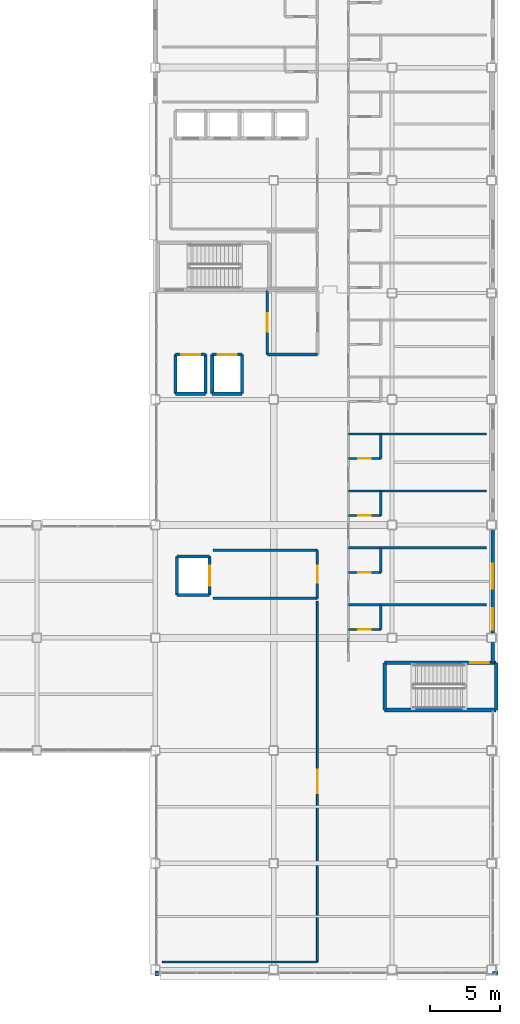
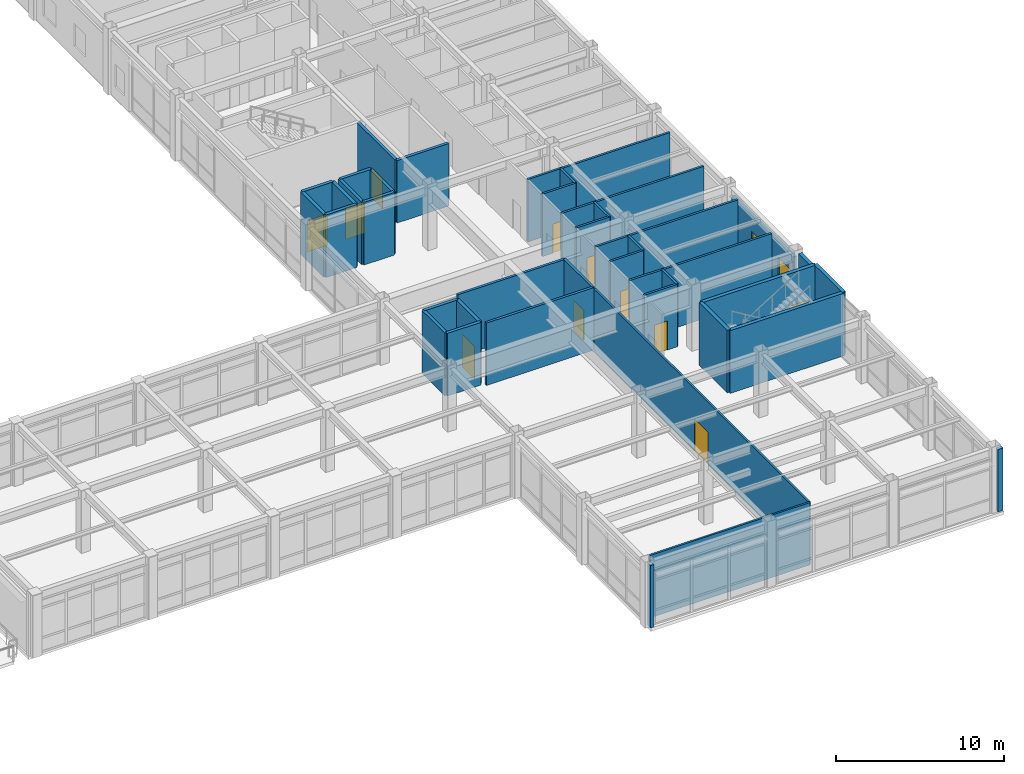
# One storey, part 76 of 93: 39 walls, 11 doors, 2 windows, 13 openings.
"""IFC4 building model written with IfcOpenShell, lengths in metres."""

import ifcopenshell
import ifcopenshell.guid

model = None  # the IFC model being written
_history = None  # IfcOwnerHistory: only IFC2X3 demands one
_inside = {}  # id of a spatial element -> (the spatial element, [elements in it])
_under = {}  # id of a project, library or spatial element -> (it, [spatial elements below it])
_declared = {}  # id of a project -> (the project, [libraries it declares])
_typed = {}  # id of a type object -> (the type object, [elements of that type])
_made_of = {}  # id of a material, layer set ... -> (it, [elements and type objects made of it])


def new_model(schema):
    """Start an empty IFC model of exactly this schema.

    Asked for "IFC4X3", IfcOpenShell would pick the latest addendum, in which some entities
    have other attributes; the version numbers below select the first issue.
    IFC2X3 requires an IfcOwnerHistory on every rooted entity: one is made here for all.
    """
    global model, _history
    if schema == "IFC4X3":
        model = ifcopenshell.file(schema_version=(4, 3, 0, 0))
    else:
        model = ifcopenshell.file(schema=schema)
    _inside.clear()
    _under.clear()
    _declared.clear()
    _typed.clear()
    _made_of.clear()
    _history = None
    if model.schema == "IFC2X3":
        org = make("IfcOrganization", Name="unknown")
        user = make(
            "IfcPersonAndOrganization",
            ThePerson=make("IfcPerson", FamilyName="unknown"),
            TheOrganization=org,
        )
        app = make(
            "IfcApplication",
            ApplicationDeveloper=org,
            Version="unknown",
            ApplicationFullName="unknown",
            ApplicationIdentifier="unknown",
        )
        _history = make(
            "IfcOwnerHistory",
            OwningUser=user,
            OwningApplication=app,
            ChangeAction="ADDED",
            CreationDate=0,
        )
    return model


def make(cls, **values):
    """One entity of the class cls with the attributes given. An attribute that is None is left unset."""
    return model.create_entity(
        cls, **{name: value for name, value in values.items() if value is not None}
    )


def rooted(cls, **values):
    """An entity with a GlobalId (a new one), such as an element, a storey or a relation."""
    return make(cls, GlobalId=ifcopenshell.guid.new(), OwnerHistory=_history, **values)


def si_unit(unit_type, name, prefix=None):
    """IfcSIUnit, for example si_unit("LENGTHUNIT", "METRE", prefix="MILLI")."""
    return make("IfcSIUnit", UnitType=unit_type, Prefix=prefix, Name=name)


def assignment(units):
    """IfcUnitAssignment: the units of a project."""
    return None if units is None else make("IfcUnitAssignment", Units=units)


def point(xyz):
    """IfcCartesianPoint."""
    return None if xyz is None else make("IfcCartesianPoint", Coordinates=xyz)


def direction(xyz):
    """IfcDirection."""
    return None if xyz is None else make("IfcDirection", DirectionRatios=xyz)


def frame(location, z_axis=None, x_axis=None):
    """IfcAxis2Placement3D, a coordinate frame: its origin and axes. An axis left out is left unset."""
    return make(
        "IfcAxis2Placement3D",
        Location=point(location),
        Axis=direction(z_axis),
        RefDirection=direction(x_axis),
    )


def frame_2d(location, x_axis=None):
    """IfcAxis2Placement2D, a coordinate frame in the plane: its origin and x axis."""
    return make(
        "IfcAxis2Placement2D", Location=point(location), RefDirection=direction(x_axis)
    )


def origin():
    """The frame at (0, 0, 0) with its axes left unset."""
    return frame((0.0, 0.0, 0.0))


def place(relative_to, where):
    """IfcLocalPlacement: puts the frame where relative to a parent placement (None: the world)."""
    return make(
        "IfcLocalPlacement", PlacementRelTo=relative_to, RelativePlacement=where
    )


def context(
    kind, dimensions, precision=None, world=None, true_north=None, identifier=None
):
    """IfcGeometricRepresentationContext, for example the 3D "Model" context."""
    return make(
        "IfcGeometricRepresentationContext",
        ContextIdentifier=identifier,
        ContextType=kind,
        CoordinateSpaceDimension=dimensions,
        Precision=precision,
        WorldCoordinateSystem=world,
        TrueNorth=true_north,
    )


def subcontext(parent, identifier, kind, view, scale=None):
    """IfcGeometricRepresentationSubContext, for example "Body" below "Model"."""
    return make(
        "IfcGeometricRepresentationSubContext",
        ContextIdentifier=identifier,
        ContextType=kind,
        ParentContext=parent,
        TargetScale=scale,
        TargetView=view,
    )


def project(units=None, contexts=None):
    """IfcProject with its units and contexts."""
    return rooted(
        "IfcProject",
        Name="project",
        RepresentationContexts=contexts,
        UnitsInContext=assignment(units),
    )


def spatial(cls, under=None, at=None, **own):
    """A site, building, storey or space (cls), placed at a placement, below another one or the project."""
    s = rooted(cls, ObjectPlacement=at, **own)
    if under is not None:
        _under.setdefault(under.id(), (under, []))[1].append(s)
    return s


def profile(cls, at=None, kind="AREA", **sizes):
    """A parametric profile (cls). Its sizes go by their IFC names, for example OverallWidth=200.0."""
    return make(cls, ProfileType=kind, Position=at, **sizes)


def rectangle(**sizes):
    """IfcRectangleProfileDef."""
    return profile("IfcRectangleProfileDef", **sizes)


def extrude(swept, where, along, depth):
    """IfcExtrudedAreaSolid: the profile swept, set in the frame where, extruded along a direction by depth."""
    return make(
        "IfcExtrudedAreaSolid",
        SweptArea=swept,
        Position=where,
        ExtrudedDirection=direction(along),
        Depth=depth,
    )


def shape(context_of_items, identifier, shape_type, items):
    """IfcShapeRepresentation: the items that make up one representation, for example the "Body"."""
    return make(
        "IfcShapeRepresentation",
        ContextOfItems=context_of_items,
        RepresentationIdentifier=identifier,
        RepresentationType=shape_type,
        Items=items,
    )


def material(Name=None, Category=None):
    """IfcMaterial."""
    return make("IfcMaterial", Name=Name, Category=Category)


def layer(
    of_material, thickness, ventilated=None, Name=None, Category=None, Priority=None
):
    """IfcMaterialLayer: one layer of a wall or slab, of a material (None: an air gap)."""
    return make(
        "IfcMaterialLayer",
        Material=of_material,
        LayerThickness=thickness,
        IsVentilated=ventilated,
        Name=Name,
        Category=Category,
        Priority=Priority,
    )


def layer_set(layers, Name=None):
    """IfcMaterialLayerSet."""
    return make("IfcMaterialLayerSet", MaterialLayers=layers, LayerSetName=Name)


def made_of(thing, what):
    """Note that an element or type object is made of a material, layer set ...; save() writes the relation."""
    if what is not None:
        _made_of.setdefault(what.id(), (what, []))[1].append(thing)
    return thing


def type_object(cls, material=None, **own):
    """A type object (cls), such as IfcWallType, which elements share."""
    return made_of(rooted(cls, **own), material)


def element(
    cls,
    number,
    at=None,
    inside=None,
    cuts=None,
    type_object=None,
    material=None,
    context=None,
    identifier="Body",
    shape_type=None,
    held_by="IfcProductDefinitionShape",
    body=None,
    shapes=None,
    **own,
):
    """One element of the class cls, such as IfcWall. Its Tag is "e" and its number.

    at: its placement. inside: the storey or other place that contains it. cuts: it is an
    opening in that element (IfcRelVoidsElement). A single representation is given by context,
    identifier, shape_type and body (its items); several are given by shapes. held_by: the class
    of the entity that holds the representations. save() writes the other relations.
    """
    e = rooted(cls, Tag="e%d" % number, ObjectPlacement=at, **own)
    if body is not None:
        shapes = [shape(context, identifier, shape_type, body)]
    if shapes is not None:
        e.Representation = make(held_by, Representations=shapes)
    if inside is not None:
        _inside.setdefault(inside.id(), (inside, []))[1].append(e)
    if cuts is not None:
        rooted(
            "IfcRelVoidsElement", RelatingBuildingElement=cuts, RelatedOpeningElement=e
        )
    if type_object is not None:
        _typed.setdefault(type_object.id(), (type_object, []))[1].append(e)
    return made_of(e, material)


def fill(opening, filler):
    """IfcRelFillsElement: the door or window that sits in an opening."""
    return rooted(
        "IfcRelFillsElement",
        RelatingOpeningElement=opening,
        RelatedBuildingElement=filler,
    )


def aggregate(whole, parts):
    """IfcRelAggregates: a whole, such as a stair, and the parts it consists of."""
    return rooted("IfcRelAggregates", RelatingObject=whole, RelatedObjects=parts)


def save(model, path):
    """Write the relations noted so far, then the file.

    IfcRelAggregates (storeys below a building ...), IfcRelContainedInSpatialStructure (elements
    in a storey), IfcRelDefinesByType, IfcRelAssociatesMaterial and IfcRelDeclares: one each for
    every whole, place, type object, material and project.
    """
    for whole, parts in _under.values():
        aggregate(whole, parts)
    for where, things in _inside.values():
        rooted(
            "IfcRelContainedInSpatialStructure",
            RelatedElements=things,
            RelatingStructure=where,
        )
    for kind, things in _typed.values():
        rooted("IfcRelDefinesByType", RelatedObjects=things, RelatingType=kind)
    for what, things in _made_of.values():
        rooted("IfcRelAssociatesMaterial", RelatedObjects=things, RelatingMaterial=what)
    for by, libraries in _declared.values():
        rooted("IfcRelDeclares", RelatingContext=by, RelatedDefinitions=libraries)
    model.write(path)


model = new_model("IFC4")

# Units and contexts
model_context = context("Model", 3, precision=1e-05, world=origin(), true_north=direction((0.0, 1.0)))
body_context = subcontext(model_context, "Body", "Model", "MODEL_VIEW")
ifc_project = project(units=[si_unit("LENGTHUNIT", "METRE"), si_unit("AREAUNIT", "SQUARE_METRE"), si_unit("VOLUMEUNIT", "CUBIC_METRE"), si_unit("PLANEANGLEUNIT", "RADIAN"), si_unit("MASSUNIT", "GRAM", prefix="KILO")], contexts=[model_context])

# Site, building, storey
site_placement = place(None, origin())
site = spatial("IfcSite", under=ifc_project, at=site_placement, CompositionType="ELEMENT")
building_placement = place(site_placement, origin())
building = spatial("IfcBuilding", under=site, at=building_placement, Name="Kazehara Bluff Congress Hotel", CompositionType="ELEMENT")
storey_placement = place(building_placement, frame((0.0, 0.0, 15.0)))
storey = spatial("IfcBuildingStorey", under=building, at=storey_placement, Name="L03", CompositionType="ELEMENT", Elevation=15.0)

# Walls
ifc_material_1 = material(Name="Concrete C40/50", Category="concrete")
ifc_layer_1 = layer(ifc_material_1, 0.25)
ifc_layer_set_1 = layer_set([ifc_layer_1], Name="Concrete C40/50")
wall_type_1 = type_object("IfcWallType", Name="TP-CW-RC", PredefinedType="SHEAR", material=ifc_layer_set_1)
for number, where, z_axis, x_axis, name in (
    (1, (167.875, 22.22509765625, 0.0), (0.0, 0.0, 1.0), (0.0, -1.0, 0.0), "L03 ST-10 core wall near"),
    (2, (159.97509765625, 18.875, 0.0), (0.0, 0.0, 1.0), (0.0, 1.0, 0.0), "L03 ST-10 core wall far"),
):
    element("IfcWall", number, at=place(storey_placement, frame(where, z_axis=z_axis, x_axis=x_axis)), inside=storey, type_object=wall_type_1, Name=name, PredefinedType="SHEAR", context=body_context, shape_type="SweptSolid", body=[
        extrude(rectangle(XDim=3.35009765625, YDim=0.25, at=frame_2d((1.675048828125, 0.0))), origin(), (0.0, 0.0, 1.0), 4.56005859375),
    ])

# Wall, opening, door
wall_1_placement = place(storey_placement, frame((159.97509765625, 22.22509765625, 0.0), z_axis=(0.0, 0.0, 1.0), x_axis=(1.0, 0.0, 0.0)))
wall_1 = element("IfcWall", 3, at=wall_1_placement, inside=storey, type_object=wall_type_1, Name="L03 ST-10 core wall left", PredefinedType="SHEAR", context=body_context, shape_type="SweptSolid", body=[
    extrude(rectangle(XDim=7.89990234375, YDim=0.25, at=frame_2d((3.949951171875, 0.0))), origin(), (0.0, 0.0, 1.0), 4.56005859375),
])
opening_1_placement = place(wall_1_placement, frame((6.074951171875, 0.0, 0.0)))
opening_1 = element("IfcOpeningElement", 4, at=opening_1_placement, cuts=wall_1, Name="Opening FD-01", PredefinedType="OPENING", context=body_context, shape_type="SweptSolid", body=[
    extrude(rectangle(XDim=1.300048828125, YDim=2.199951171875, at=frame_2d((0.64990234375, 1.10009765625))), frame((0.0, 0.135009765625, 0.0), z_axis=(0.0, -1.0, 0.0), x_axis=(1.0, 0.0, 0.0)), (0.0, 0.0, 1.0), 0.27001953125),
])
ifc_material_2 = material(Name="Fire-rated painted steel leaf", Category="steel")
door_type_1 = type_object("IfcDoorType", Name="TP-FD-01", OperationType="NOTDEFINED", PredefinedType="DOOR", material=ifc_material_2)
door_1_placement = place(opening_1_placement, origin())
door_1 = element("IfcDoor", 5, at=door_1_placement, inside=storey, type_object=door_type_1, Name="L03 ST-10 fire stair door", OperationType="SINGLE_SWING_LEFT", OverallHeight=2.199951171875, OverallWidth=1.300048828125, PredefinedType="DOOR", context=body_context, shape_type="SweptSolid", body=[
    extrude(rectangle(XDim=1.300048828125, YDim=2.199951171875, at=frame_2d((0.64990234375, 1.10009765625))), frame((0.0, 0.02490234375, 0.0), z_axis=(0.0, -1.0, 0.0), x_axis=(1.0, 0.0, 0.0)), (0.0, 0.0, 1.0), 0.050048828125),
])
fill(opening_1, door_1)

# Walls
wall_2_placement = place(storey_placement, frame((167.875, 18.875, 0.0), z_axis=(0.0, 0.0, 1.0), x_axis=(-1.0, 0.0, 0.0)))
element("IfcWall", 6, at=wall_2_placement, inside=storey, type_object=wall_type_1, Name="L03 ST-10 core wall right", PredefinedType="SHEAR", context=body_context, shape_type="SweptSolid", body=[
    extrude(rectangle(XDim=7.89990234375, YDim=0.25, at=frame_2d((3.949951171875, 0.0))), origin(), (0.0, 0.0, 1.0), 4.56005859375),
])
ifc_material_3 = material(Name="Precast concrete C40/50", Category="concrete")
ifc_layer_2 = layer(ifc_material_3, 0.239990234375)
ifc_layer_set_2 = layer_set([ifc_layer_2], Name="Precast concrete C40/50")
wall_type_2 = type_object("IfcWallType", Name="TP-EW-240", PredefinedType="SOLIDWALL", material=ifc_layer_set_2)
for number, where, z_axis, x_axis, name in (
    (7, (168.0, 0.219970703125, 0.0), (0.0, 0.0, 1.0), (-1.0, 0.0, 0.0), "L03 V5 perimeter spandrel pier 708"),
    (8, (143.800048828125, 0.0, 0.0), (0.0, 0.0, 1.0), (0.0, 1.0, 0.0), "L03 V5 perimeter spandrel pier 718"),
):
    element("IfcWall", number, at=place(storey_placement, frame(where, z_axis=z_axis, x_axis=x_axis)), inside=storey, type_object=wall_type_2, Name=name, PredefinedType="SOLIDWALL", context=body_context, shape_type="SweptSolid", body=[
        extrude(rectangle(XDim=0.360107421875, YDim=0.239990234375, at=frame_2d((0.18017578125, 0.0))), origin(), (0.0, 0.0, 1.0), 4.544921875),
    ])
ifc_material_4 = material(Name="Precast concrete C40/50", Category="concrete")
ifc_layer_3 = layer(ifc_material_4, 0.260009765625)
ifc_layer_set_3 = layer_set([ifc_layer_3], Name="Precast concrete C40/50")
wall_type_3 = type_object("IfcWallType", Name="TP-EW-260", PredefinedType="SOLIDWALL", material=ifc_layer_set_3)
wall_3_placement = place(storey_placement, frame((167.64990234375, 23.675048828125, 0.0), z_axis=(0.0, 0.0, 1.0), x_axis=(0.0, -1.0, 0.0)))
element("IfcWall", 9, at=wall_3_placement, inside=storey, type_object=wall_type_3, Name="L03 hotel facade panel 7", PredefinedType="SOLIDWALL", context=body_context, shape_type="SweptSolid", body=[
    extrude(rectangle(XDim=1.449951171875, YDim=0.260009765625, at=frame_2d((0.72509765625, 0.0))), origin(), (0.0, 0.0, 1.0), 4.544921875),
])

# Wall, openings, windows
wall_4_placement = place(storey_placement, frame((167.64990234375, 31.675048828125, 0.0), z_axis=(0.0, 0.0, 1.0), x_axis=(0.0, -1.0, 0.0)))
wall_4 = element("IfcWall", 10, at=wall_4_placement, inside=storey, type_object=wall_type_3, Name="L03 hotel facade panel 8", PredefinedType="SOLIDWALL", context=body_context, shape_type="SweptSolid", body=[
    extrude(rectangle(XDim=7.35009765625, YDim=0.260009765625, at=frame_2d((3.675048828125, 0.0))), origin(), (0.0, 0.0, 1.0), 3.885009765625),
])
opening_2_placement = place(wall_4_placement, frame((5.570068359375, 0.0, 0.85009765625)))
opening_2 = element("IfcOpeningElement", 11, at=opening_2_placement, cuts=wall_4, Name="Opening WN-25", PredefinedType="OPENING", context=body_context, shape_type="SweptSolid", body=[
    extrude(rectangle(XDim=1.550048828125, YDim=1.949951171875, at=frame_2d((0.77490234375, 0.97509765625))), frame((0.0, 0.139892578125, 0.0), z_axis=(0.0, -1.0, 0.0), x_axis=(1.0, 0.0, 0.0)), (0.0, 0.0, 1.0), 0.280029296875),
])
opening_3_placement = place(wall_4_placement, frame((2.43994140625, 0.0, 0.85009765625)))
opening_3 = element("IfcOpeningElement", 12, at=opening_3_placement, cuts=wall_4, Name="Opening WN-35", PredefinedType="OPENING", context=body_context, shape_type="SweptSolid", body=[
    extrude(rectangle(XDim=1.75, YDim=1.949951171875, at=frame_2d((0.875, 0.97509765625))), frame((0.0, 0.139892578125, 0.0), z_axis=(0.0, -1.0, 0.0), x_axis=(1.0, 0.0, 0.0)), (0.0, 0.0, 1.0), 0.280029296875),
])
ifc_material_5 = material(Name="Insulated low-E double glazing", Category="glass")
window_type_1 = type_object("IfcWindowType", Name="TP-WN-25", PartitioningType="SINGLE_PANEL", PredefinedType="WINDOW", material=ifc_material_5)
window_1_placement = place(opening_2_placement, origin())
window_1 = element("IfcWindow", 13, at=window_1_placement, inside=storey, type_object=window_type_1, Name="L03 guestroom window WN-25 1", OverallHeight=1.949951171875, OverallWidth=1.550048828125, PartitioningType="SINGLE_PANEL", PredefinedType="WINDOW", context=body_context, shape_type="SweptSolid", body=[
    extrude(rectangle(XDim=1.550048828125, YDim=1.949951171875, at=frame_2d((0.77490234375, 0.97509765625))), frame((0.0, 0.030029296875, 0.0), z_axis=(0.0, -1.0, 0.0), x_axis=(1.0, 0.0, 0.0)), (0.0, 0.0, 1.0), 0.06005859375),
])
fill(opening_2, window_1)
ifc_material_6 = material(Name="Insulated low-E double glazing", Category="glass")
window_type_2 = type_object("IfcWindowType", Name="TP-WN-35", PartitioningType="SINGLE_PANEL", PredefinedType="WINDOW", material=ifc_material_6)
window_2_placement = place(opening_3_placement, origin())
window_2 = element("IfcWindow", 14, at=window_2_placement, inside=storey, type_object=window_type_2, Name="L03 guestroom window WN-35 2", OverallHeight=1.949951171875, OverallWidth=1.75, PartitioningType="SINGLE_PANEL", PredefinedType="WINDOW", context=body_context, shape_type="SweptSolid", body=[
    extrude(rectangle(XDim=1.75, YDim=1.949951171875, at=frame_2d((0.875, 0.97509765625))), frame((0.0, 0.030029296875, 0.0), z_axis=(0.0, -1.0, 0.0), x_axis=(1.0, 0.0, 0.0)), (0.0, 0.0, 1.0), 0.06005859375),
])
fill(opening_3, window_2)

# Wall
ifc_material_7 = material(Name="Concrete C40/50", Category="concrete")
ifc_layer_4 = layer(ifc_material_7, 0.199951171875)
ifc_layer_set_4 = layer_set([ifc_layer_4], Name="Concrete C40/50")
wall_type_4 = type_object("IfcWallType", Name="TP-FW-RC", PredefinedType="SOLIDWALL", material=ifc_layer_set_4)
wall_5_placement = place(storey_placement, frame((151.64990234375, 44.10009765625, 0.0), z_axis=(0.0, 0.0, 1.0), x_axis=(1.0, 0.0, 0.0)))
element("IfcWall", 15, at=wall_5_placement, inside=storey, type_object=wall_type_4, Name="L03 partition FW-RC 262", PredefinedType="SOLIDWALL", context=body_context, shape_type="SweptSolid", body=[
    extrude(rectangle(XDim=3.550048828125, YDim=0.199951171875, at=frame_2d((1.77490234375, 0.0))), origin(), (0.0, 0.0, 1.0), 4.544921875),
])

# Wall, opening, door
wall_6_placement = place(storey_placement, frame((151.64990234375, 44.10009765625, 0.0), z_axis=(0.0, 0.0, 1.0), x_axis=(0.0, 1.0, 0.0)))
wall_6 = element("IfcWall", 16, at=wall_6_placement, inside=storey, type_object=wall_type_4, Name="L03 partition FW-RC 329", PredefinedType="SOLIDWALL", context=body_context, shape_type="SweptSolid", body=[
    extrude(rectangle(XDim=4.5498046875, YDim=0.199951171875, at=frame_2d((2.27490234375, 0.0))), origin(), (0.0, 0.0, 1.0), 4.544921875),
])
opening_4_placement = place(wall_6_placement, frame((1.625, 0.0, 0.0)))
opening_4 = element("IfcOpeningElement", 17, at=opening_4_placement, cuts=wall_6, Name="Opening FD-01", PredefinedType="OPENING", context=body_context, shape_type="SweptSolid", body=[
    extrude(rectangle(XDim=1.300048828125, YDim=2.199951171875, at=frame_2d((0.64990234375, 1.10009765625))), frame((0.0, 0.10986328125, 0.0), z_axis=(0.0, -1.0, 0.0), x_axis=(1.0, 0.0, 0.0)), (0.0, 0.0, 1.0), 0.219970703125),
])
door_2_placement = place(opening_4_placement, origin())
door_2 = element("IfcDoor", 18, at=door_2_placement, inside=storey, type_object=door_type_1, Name="L03 Emergency Firefighting Lobby door", OperationType="SINGLE_SWING_RIGHT", OverallHeight=2.199951171875, OverallWidth=1.300048828125, PredefinedType="DOOR", context=body_context, shape_type="SweptSolid", body=[
    extrude(rectangle(XDim=1.300048828125, YDim=2.199951171875, at=frame_2d((0.64990234375, 1.10009765625))), frame((0.0, 0.02490234375, 0.0), z_axis=(0.0, -1.0, 0.0), x_axis=(1.0, 0.0, 0.0)), (0.0, 0.0, 1.0), 0.050048828125),
])
fill(opening_4, door_2)

# Wall
ifc_material_8 = material(Name="Fire-rated gypsum board stud partition")
ifc_layer_5 = layer(ifc_material_8, 0.1298828125)
ifc_layer_set_5 = layer_set([ifc_layer_5], Name="Fire-rated gypsum board stud partition")
wall_type_5 = type_object("IfcWallType", Name="TP-PT-130", PredefinedType="PARTITIONING", material=ifc_layer_set_5)
wall_7_placement = place(storey_placement, frame((144.199951171875, 1.0, 0.0), z_axis=(0.0, 0.0, 1.0), x_axis=(1.0, 0.0, 0.0)))
element("IfcWall", 19, at=wall_7_placement, inside=storey, type_object=wall_type_5, Name="L03 partition PT-130 246", PredefinedType="PARTITIONING", context=body_context, shape_type="SweptSolid", body=[
    extrude(rectangle(XDim=11.0, YDim=0.1298828125, at=frame_2d((5.5, 0.0))), origin(), (0.0, 0.0, 1.0), 4.544921875),
])

# Wall, opening, door
wall_8_placement = place(storey_placement, frame((155.199951171875, 1.0, 0.0), z_axis=(0.0, 0.0, 1.0), x_axis=(0.0, 1.0, 0.0)))
wall_8 = element("IfcWall", 20, at=wall_8_placement, inside=storey, type_object=wall_type_5, Name="L03 partition PT-130 343", PredefinedType="PARTITIONING", context=body_context, shape_type="SweptSolid", body=[
    extrude(rectangle(XDim=25.60009765625, YDim=0.1298828125, at=frame_2d((12.800048828125, 0.0))), origin(), (0.0, 0.0, 1.0), 4.544921875),
])
opening_5_placement = place(wall_8_placement, frame((11.97509765625, 0.0, 0.0)))
opening_5 = element("IfcOpeningElement", 21, at=opening_5_placement, cuts=wall_8, Name="Opening AD-04", PredefinedType="OPENING", context=body_context, shape_type="SweptSolid", body=[
    extrude(rectangle(XDim=1.64990234375, YDim=2.35009765625, at=frame_2d((0.824951171875, 1.175048828125))), frame((0.0, 0.074951171875, 0.0), z_axis=(0.0, -1.0, 0.0), x_axis=(1.0, 0.0, 0.0)), (0.0, 0.0, 1.0), 0.14990234375),
])
ifc_material_9 = material(Name="Architectural oak veneer leaf")
door_type_2 = type_object("IfcDoorType", Name="TP-AD-04", OperationType="DOUBLE_DOOR_SINGLE_SWING", PredefinedType="DOOR", material=ifc_material_9)
door_3_placement = place(opening_5_placement, origin())
door_3 = element("IfcDoor", 22, at=door_3_placement, inside=storey, type_object=door_type_2, Name="L03 Delegate Library Lounge door", OperationType="DOUBLE_DOOR_SINGLE_SWING", OverallHeight=2.35009765625, OverallWidth=1.64990234375, PredefinedType="DOOR", context=body_context, shape_type="SweptSolid", body=[
    extrude(rectangle(XDim=1.64990234375, YDim=2.35009765625, at=frame_2d((0.824951171875, 1.175048828125))), frame((0.0, 0.02490234375, 0.0), z_axis=(0.0, -1.0, 0.0), x_axis=(1.0, 0.0, 0.0)), (0.0, 0.0, 1.0), 0.050048828125),
])
fill(opening_5, door_3)

ifc_material_10 = material(Name="Fire-rated gypsum board stud partition")
ifc_layer_6 = layer(ifc_material_10, 0.14990234375)
ifc_layer_set_6 = layer_set([ifc_layer_6], Name="Fire-rated gypsum board stud partition")
wall_type_6 = type_object("IfcWallType", Name="TP-PT-150", PredefinedType="PARTITIONING", material=ifc_layer_set_6)
wall_9_placement = place(storey_placement, frame((157.39990234375, 24.590087890625, 0.0), z_axis=(0.0, 0.0, 1.0), x_axis=(1.0, 0.0, 0.0)))
wall_9 = element("IfcWall", 23, at=wall_9_placement, inside=storey, type_object=wall_type_6, Name="L03 partition PT-150 248", PredefinedType="PARTITIONING", context=body_context, shape_type="SweptSolid", body=[
    extrude(rectangle(XDim=2.300048828125, YDim=0.14990234375, at=frame_2d((1.14990234375, 0.0))), origin(), (0.0, 0.0, 1.0), 4.544921875),
])
opening_6_placement = place(wall_9_placement, frame((0.7099609375, 0.0, 0.0)))
opening_6 = element("IfcOpeningElement", 24, at=opening_6_placement, cuts=wall_9, Name="Opening BD-02", PredefinedType="OPENING", context=body_context, shape_type="SweptSolid", body=[
    extrude(rectangle(XDim=0.8798828125, YDim=2.1201171875, at=frame_2d((0.43994140625, 1.06005859375))), frame((0.0, 0.0849609375, 0.0), z_axis=(0.0, -1.0, 0.0), x_axis=(1.0, 0.0, 0.0)), (0.0, 0.0, 1.0), 0.169921875),
])
ifc_material_11 = material(Name="Architectural oak veneer leaf")
door_type_3 = type_object("IfcDoorType", Name="TP-BD-02", OperationType="NOTDEFINED", PredefinedType="DOOR", material=ifc_material_11)
door_4_placement = place(opening_6_placement, origin())
door_4 = element("IfcDoor", 25, at=door_4_placement, inside=storey, type_object=door_type_3, Name="L03 En-suite Bathroom 14 door", OperationType="SINGLE_SWING_LEFT", OverallHeight=2.1201171875, OverallWidth=0.8798828125, PredefinedType="DOOR", context=body_context, shape_type="SweptSolid", body=[
    extrude(rectangle(XDim=0.8798828125, YDim=2.1201171875, at=frame_2d((0.43994140625, 1.06005859375))), frame((0.0, 0.02490234375, 0.0), z_axis=(0.0, -1.0, 0.0), x_axis=(1.0, 0.0, 0.0)), (0.0, 0.0, 1.0), 0.050048828125),
])
fill(opening_6, door_4)

# Wall
wall_10_placement = place(storey_placement, frame((157.39990234375, 26.340087890625, 0.0), z_axis=(0.0, 0.0, 1.0), x_axis=(1.0, 0.0, 0.0)))
element("IfcWall", 26, at=wall_10_placement, inside=storey, type_object=wall_type_6, Name="L03 partition PT-150 249", PredefinedType="PARTITIONING", context=body_context, shape_type="SweptSolid", body=[
    extrude(rectangle(XDim=9.800048828125, YDim=0.14990234375, at=frame_2d((4.89990234375, 0.0))), origin(), (0.0, 0.0, 1.0), 4.544921875),
])

# Wall, opening, door
wall_11_placement = place(storey_placement, frame((157.39990234375, 28.639892578125, 0.0), z_axis=(0.0, 0.0, 1.0), x_axis=(1.0, 0.0, 0.0)))
wall_11 = element("IfcWall", 27, at=wall_11_placement, inside=storey, type_object=wall_type_6, Name="L03 partition PT-150 252", PredefinedType="PARTITIONING", context=body_context, shape_type="SweptSolid", body=[
    extrude(rectangle(XDim=2.300048828125, YDim=0.14990234375, at=frame_2d((1.14990234375, 0.0))), origin(), (0.0, 0.0, 1.0), 4.544921875),
])
opening_7_placement = place(wall_11_placement, frame((0.7099609375, 0.0, 0.0)))
opening_7 = element("IfcOpeningElement", 28, at=opening_7_placement, cuts=wall_11, Name="Opening BD-02", PredefinedType="OPENING", context=body_context, shape_type="SweptSolid", body=[
    extrude(rectangle(XDim=0.8798828125, YDim=2.1201171875, at=frame_2d((0.43994140625, 1.06005859375))), frame((0.0, 0.0849609375, 0.0), z_axis=(0.0, -1.0, 0.0), x_axis=(1.0, 0.0, 0.0)), (0.0, 0.0, 1.0), 0.169921875),
])
door_5_placement = place(opening_7_placement, origin())
door_5 = element("IfcDoor", 29, at=door_5_placement, inside=storey, type_object=door_type_3, Name="L03 En-suite Bathroom 15 door", OperationType="SINGLE_SWING_LEFT", OverallHeight=2.1201171875, OverallWidth=0.8798828125, PredefinedType="DOOR", context=body_context, shape_type="SweptSolid", body=[
    extrude(rectangle(XDim=0.8798828125, YDim=2.1201171875, at=frame_2d((0.43994140625, 1.06005859375))), frame((0.0, 0.02490234375, 0.0), z_axis=(0.0, -1.0, 0.0), x_axis=(1.0, 0.0, 0.0)), (0.0, 0.0, 1.0), 0.050048828125),
])
fill(opening_7, door_5)

# Wall
wall_12_placement = place(storey_placement, frame((157.39990234375, 30.389892578125, 0.0), z_axis=(0.0, 0.0, 1.0), x_axis=(1.0, 0.0, 0.0)))
element("IfcWall", 30, at=wall_12_placement, inside=storey, type_object=wall_type_6, Name="L03 partition PT-150 254", PredefinedType="PARTITIONING", context=body_context, shape_type="SweptSolid", body=[
    extrude(rectangle(XDim=9.800048828125, YDim=0.14990234375, at=frame_2d((4.89990234375, 0.0))), origin(), (0.0, 0.0, 1.0), 4.544921875),
])

# Wall, opening, door
wall_13_placement = place(storey_placement, frame((157.39990234375, 32.669921875, 0.0), z_axis=(0.0, 0.0, 1.0), x_axis=(1.0, 0.0, 0.0)))
wall_13 = element("IfcWall", 31, at=wall_13_placement, inside=storey, type_object=wall_type_6, Name="L03 partition PT-150 255", PredefinedType="PARTITIONING", context=body_context, shape_type="SweptSolid", body=[
    extrude(rectangle(XDim=2.300048828125, YDim=0.14990234375, at=frame_2d((1.14990234375, 0.0))), origin(), (0.0, 0.0, 1.0), 4.544921875),
])
opening_8_placement = place(wall_13_placement, frame((0.7099609375, 0.0, 0.0)))
opening_8 = element("IfcOpeningElement", 32, at=opening_8_placement, cuts=wall_13, Name="Opening BD-02", PredefinedType="OPENING", context=body_context, shape_type="SweptSolid", body=[
    extrude(rectangle(XDim=0.8798828125, YDim=2.1201171875, at=frame_2d((0.43994140625, 1.06005859375))), frame((0.0, 0.0849609375, 0.0), z_axis=(0.0, -1.0, 0.0), x_axis=(1.0, 0.0, 0.0)), (0.0, 0.0, 1.0), 0.169921875),
])
door_6_placement = place(opening_8_placement, origin())
door_6 = element("IfcDoor", 33, at=door_6_placement, inside=storey, type_object=door_type_3, Name="L03 En-suite Bathroom 16 door", OperationType="SINGLE_SWING_LEFT", OverallHeight=2.1201171875, OverallWidth=0.8798828125, PredefinedType="DOOR", context=body_context, shape_type="SweptSolid", body=[
    extrude(rectangle(XDim=0.8798828125, YDim=2.1201171875, at=frame_2d((0.43994140625, 1.06005859375))), frame((0.0, 0.02490234375, 0.0), z_axis=(0.0, -1.0, 0.0), x_axis=(1.0, 0.0, 0.0)), (0.0, 0.0, 1.0), 0.050048828125),
])
fill(opening_8, door_6)

# Wall
wall_14_placement = place(storey_placement, frame((157.39990234375, 34.419921875, 0.0), z_axis=(0.0, 0.0, 1.0), x_axis=(1.0, 0.0, 0.0)))
element("IfcWall", 34, at=wall_14_placement, inside=storey, type_object=wall_type_6, Name="L03 partition PT-150 256", PredefinedType="PARTITIONING", context=body_context, shape_type="SweptSolid", body=[
    extrude(rectangle(XDim=9.800048828125, YDim=0.14990234375, at=frame_2d((4.89990234375, 0.0))), origin(), (0.0, 0.0, 1.0), 4.544921875),
])

# Wall, opening, door
wall_15_placement = place(storey_placement, frame((157.39990234375, 36.719970703125, 0.0), z_axis=(0.0, 0.0, 1.0), x_axis=(1.0, 0.0, 0.0)))
wall_15 = element("IfcWall", 35, at=wall_15_placement, inside=storey, type_object=wall_type_6, Name="L03 partition PT-150 257", PredefinedType="PARTITIONING", context=body_context, shape_type="SweptSolid", body=[
    extrude(rectangle(XDim=2.300048828125, YDim=0.14990234375, at=frame_2d((1.14990234375, 0.0))), origin(), (0.0, 0.0, 1.0), 4.544921875),
])
opening_9_placement = place(wall_15_placement, frame((0.7099609375, 0.0, 0.0)))
opening_9 = element("IfcOpeningElement", 36, at=opening_9_placement, cuts=wall_15, Name="Opening BD-02", PredefinedType="OPENING", context=body_context, shape_type="SweptSolid", body=[
    extrude(rectangle(XDim=0.8798828125, YDim=2.1201171875, at=frame_2d((0.43994140625, 1.06005859375))), frame((0.0, 0.0849609375, 0.0), z_axis=(0.0, -1.0, 0.0), x_axis=(1.0, 0.0, 0.0)), (0.0, 0.0, 1.0), 0.169921875),
])
door_7_placement = place(opening_9_placement, origin())
door_7 = element("IfcDoor", 37, at=door_7_placement, inside=storey, type_object=door_type_3, Name="L03 En-suite Bathroom 17 door", OperationType="SINGLE_SWING_LEFT", OverallHeight=2.1201171875, OverallWidth=0.8798828125, PredefinedType="DOOR", context=body_context, shape_type="SweptSolid", body=[
    extrude(rectangle(XDim=0.8798828125, YDim=2.1201171875, at=frame_2d((0.43994140625, 1.06005859375))), frame((0.0, 0.02490234375, 0.0), z_axis=(0.0, -1.0, 0.0), x_axis=(1.0, 0.0, 0.0)), (0.0, 0.0, 1.0), 0.050048828125),
])
fill(opening_9, door_7)

# Walls
wall_16_placement = place(storey_placement, frame((157.39990234375, 38.469970703125, 0.0), z_axis=(0.0, 0.0, 1.0), x_axis=(1.0, 0.0, 0.0)))
element("IfcWall", 38, at=wall_16_placement, inside=storey, type_object=wall_type_6, Name="L03 partition PT-150 258", PredefinedType="PARTITIONING", context=body_context, shape_type="SweptSolid", body=[
    extrude(rectangle(XDim=9.800048828125, YDim=0.14990234375, at=frame_2d((4.89990234375, 0.0))), origin(), (0.0, 0.0, 1.0), 4.544921875),
])
for number, where, z_axis, x_axis, name in (
    (39, (159.699951171875, 24.590087890625, 0.0), (0.0, 0.0, 1.0), (0.0, 1.0, 0.0), "L03 partition PT-150 351"),
    (40, (159.699951171875, 28.635009765625, 0.0), (0.0, 0.0, 1.0), (0.0, 1.0, 0.0), "L03 partition PT-150 352"),
    (41, (159.699951171875, 32.675048828125, 0.0), (0.0, 0.0, 1.0), (0.0, 1.0, 0.0), "L03 partition PT-150 353"),
    (42, (159.699951171875, 36.715087890625, 0.0), (0.0, 0.0, 1.0), (0.0, 1.0, 0.0), "L03 partition PT-150 354"),
):
    element("IfcWall", number, at=place(storey_placement, frame(where, z_axis=z_axis, x_axis=x_axis)), inside=storey, type_object=wall_type_6, Name=name, PredefinedType="PARTITIONING", context=body_context, shape_type="SweptSolid", body=[
        extrude(rectangle(XDim=1.75, YDim=0.14990234375, at=frame_2d((0.875, 0.0))), origin(), (0.0, 0.0, 1.0), 4.544921875),
    ])
ifc_material_12 = material(Name="Fire-rated gypsum board stud partition")
ifc_layer_7 = layer(ifc_material_12, 0.169921875)
ifc_layer_set_7 = layer_set([ifc_layer_7], Name="Fire-rated gypsum board stud partition")
wall_type_7 = type_object("IfcWallType", Name="TP-PT-180", PredefinedType="PARTITIONING", material=ifc_layer_set_7)
for number, where, z_axis, x_axis, name in (
    (43, (147.800048828125, 26.800048828125, 0.0), (0.0, 0.0, 1.0), (1.0, 0.0, 0.0), "L03 partition PT-180 250"),
    (44, (147.800048828125, 30.199951171875, 0.0), (0.0, 0.0, 1.0), (1.0, 0.0, 0.0), "L03 partition PT-180 253"),
):
    element("IfcWall", number, at=place(storey_placement, frame(where, z_axis=z_axis, x_axis=x_axis)), inside=storey, type_object=wall_type_7, Name=name, PredefinedType="PARTITIONING", context=body_context, shape_type="SweptSolid", body=[
        extrude(rectangle(XDim=7.39990234375, YDim=0.169921875, at=frame_2d((3.699951171875, 0.0))), origin(), (0.0, 0.0, 1.0), 4.544921875),
    ])

# Wall, opening, door
wall_17_placement = place(storey_placement, frame((155.199951171875, 26.800048828125, 0.0), z_axis=(0.0, 0.0, 1.0), x_axis=(0.0, 1.0, 0.0)))
wall_17 = element("IfcWall", 45, at=wall_17_placement, inside=storey, type_object=wall_type_7, Name="L03 partition PT-180 344", PredefinedType="PARTITIONING", context=body_context, shape_type="SweptSolid", body=[
    extrude(rectangle(XDim=3.39990234375, YDim=0.169921875, at=frame_2d((1.699951171875, 0.0))), origin(), (0.0, 0.0, 1.0), 4.544921875),
])
opening_10_placement = place(wall_17_placement, frame((1.10009765625, 0.0, 0.0)))
opening_10 = element("IfcOpeningElement", 46, at=opening_10_placement, cuts=wall_17, Name="Opening FD-02", PredefinedType="OPENING", context=body_context, shape_type="SweptSolid", body=[
    extrude(rectangle(XDim=1.199951171875, YDim=2.199951171875, at=frame_2d((0.60009765625, 1.10009765625))), frame((0.0, 0.094970703125, 0.0), z_axis=(0.0, -1.0, 0.0), x_axis=(1.0, 0.0, 0.0)), (0.0, 0.0, 1.0), 0.18994140625),
])
ifc_material_13 = material(Name="Fire-rated painted steel leaf", Category="steel")
door_type_4 = type_object("IfcDoorType", Name="TP-FD-02", OperationType="NOTDEFINED", PredefinedType="DOOR", material=ifc_material_13)
door_8_placement = place(opening_10_placement, origin())
door_8 = element("IfcDoor", 47, at=door_8_placement, inside=storey, type_object=door_type_4, Name="L03 L03 Service Lift Lobby door", OperationType="SINGLE_SWING_RIGHT", OverallHeight=2.199951171875, OverallWidth=1.199951171875, PredefinedType="DOOR", context=body_context, shape_type="SweptSolid", body=[
    extrude(rectangle(XDim=1.199951171875, YDim=2.199951171875, at=frame_2d((0.60009765625, 1.10009765625))), frame((0.0, 0.02490234375, 0.0), z_axis=(0.0, -1.0, 0.0), x_axis=(1.0, 0.0, 0.0)), (0.0, 0.0, 1.0), 0.050048828125),
])
fill(opening_10, door_8)

ifc_material_14 = material(Name="Concrete C40/50", Category="concrete")
ifc_layer_8 = layer(ifc_material_14, 0.219970703125)
ifc_layer_set_8 = layer_set([ifc_layer_8], Name="Concrete C40/50")
wall_type_8 = type_object("IfcWallType", Name="TP-SW-RC", PredefinedType="SHEAR", material=ifc_layer_set_8)
wall_18_placement = place(storey_placement, frame((145.139892578125, 44.0849609375, 0.0), z_axis=(0.0, 0.0, 1.0), x_axis=(1.0, 0.0, 0.0)))
wall_18 = element("IfcWall", 48, at=wall_18_placement, inside=storey, type_object=wall_type_8, Name="L03 EL-E1 lift shaft wall +Y", PredefinedType="SHEAR", context=body_context, shape_type="SweptSolid", body=[
    extrude(rectangle(XDim=2.1201171875, YDim=0.219970703125, at=frame_2d((1.06005859375, 0.0))), origin(), (0.0, 0.0, 1.0), 4.56005859375),
])
opening_11_placement = place(wall_18_placement, frame((0.385009765625, 0.0, 0.0)))
opening_11 = element("IfcOpeningElement", 49, at=opening_11_placement, cuts=wall_18, Name="Opening LD-03", PredefinedType="OPENING", context=body_context, shape_type="SweptSolid", body=[
    extrude(rectangle(XDim=1.35009765625, YDim=2.300048828125, at=frame_2d((0.675048828125, 1.14990234375))), frame((0.0, 0.119873046875, 0.0), z_axis=(0.0, -1.0, 0.0), x_axis=(1.0, 0.0, 0.0)), (0.0, 0.0, 1.0), 0.239990234375),
])
ifc_material_15 = material(Name="Fire-rated painted steel leaf", Category="steel")
door_type_5 = type_object("IfcDoorType", Name="TP-LD-03", OperationType="SLIDING_TO_LEFT", PredefinedType="DOOR", material=ifc_material_15)
door_9_placement = place(opening_11_placement, origin())
door_9 = element("IfcDoor", 50, at=door_9_placement, inside=storey, type_object=door_type_5, Name="L03 EL-E1 elevator landing door", OperationType="SLIDING_TO_LEFT", OverallHeight=2.300048828125, OverallWidth=1.35009765625, PredefinedType="DOOR", context=body_context, shape_type="SweptSolid", body=[
    extrude(rectangle(XDim=1.35009765625, YDim=2.300048828125, at=frame_2d((0.675048828125, 1.14990234375))), frame((0.0, 0.02490234375, 0.0), z_axis=(0.0, -1.0, 0.0), x_axis=(1.0, 0.0, 0.0)), (0.0, 0.0, 1.0), 0.050048828125),
])
fill(opening_11, door_9)

# Walls
wall_19_placement = place(storey_placement, frame((145.139892578125, 41.31494140625, 0.0), z_axis=(0.0, 0.0, 1.0), x_axis=(1.0, 0.0, 0.0)))
element("IfcWall", 51, at=wall_19_placement, inside=storey, type_object=wall_type_8, Name="L03 EL-E1 lift shaft wall -Y", PredefinedType="SHEAR", context=body_context, shape_type="SweptSolid", body=[
    extrude(rectangle(XDim=2.1201171875, YDim=0.219970703125, at=frame_2d((1.06005859375, 0.0))), origin(), (0.0, 0.0, 1.0), 4.56005859375),
])
for number, where, z_axis, x_axis, name in (
    (52, (147.260009765625, 41.31494140625, 0.0), (0.0, 0.0, 1.0), (0.0, 1.0, 0.0), "L03 EL-E1 lift shaft wall +X"),
    (53, (145.139892578125, 41.31494140625, 0.0), (0.0, 0.0, 1.0), (0.0, 1.0, 0.0), "L03 EL-E1 lift shaft wall -X"),
):
    element("IfcWall", number, at=place(storey_placement, frame(where, z_axis=z_axis, x_axis=x_axis)), inside=storey, type_object=wall_type_8, Name=name, PredefinedType="SHEAR", context=body_context, shape_type="SweptSolid", body=[
        extrude(rectangle(XDim=2.77001953125, YDim=0.219970703125, at=frame_2d((1.385009765625, 0.0))), origin(), (0.0, 0.0, 1.0), 4.56005859375),
    ])

# Wall, opening, door
wall_20_placement = place(storey_placement, frame((147.739990234375, 44.0849609375, 0.0), z_axis=(0.0, 0.0, 1.0), x_axis=(1.0, 0.0, 0.0)))
wall_20 = element("IfcWall", 54, at=wall_20_placement, inside=storey, type_object=wall_type_8, Name="L03 EL-E2 lift shaft wall +Y", PredefinedType="SHEAR", context=body_context, shape_type="SweptSolid", body=[
    extrude(rectangle(XDim=2.1201171875, YDim=0.219970703125, at=frame_2d((1.06005859375, 0.0))), origin(), (0.0, 0.0, 1.0), 4.56005859375),
])
opening_12_placement = place(wall_20_placement, frame((0.385009765625, 0.0, 0.0)))
opening_12 = element("IfcOpeningElement", 55, at=opening_12_placement, cuts=wall_20, Name="Opening LD-03", PredefinedType="OPENING", context=body_context, shape_type="SweptSolid", body=[
    extrude(rectangle(XDim=1.35009765625, YDim=2.300048828125, at=frame_2d((0.675048828125, 1.14990234375))), frame((0.0, 0.119873046875, 0.0), z_axis=(0.0, -1.0, 0.0), x_axis=(1.0, 0.0, 0.0)), (0.0, 0.0, 1.0), 0.239990234375),
])
door_10_placement = place(opening_12_placement, origin())
door_10 = element("IfcDoor", 56, at=door_10_placement, inside=storey, type_object=door_type_5, Name="L03 EL-E2 elevator landing door", OperationType="SLIDING_TO_LEFT", OverallHeight=2.300048828125, OverallWidth=1.35009765625, PredefinedType="DOOR", context=body_context, shape_type="SweptSolid", body=[
    extrude(rectangle(XDim=1.35009765625, YDim=2.300048828125, at=frame_2d((0.675048828125, 1.14990234375))), frame((0.0, 0.02490234375, 0.0), z_axis=(0.0, -1.0, 0.0), x_axis=(1.0, 0.0, 0.0)), (0.0, 0.0, 1.0), 0.050048828125),
])
fill(opening_12, door_10)

# Walls
wall_21_placement = place(storey_placement, frame((147.739990234375, 41.31494140625, 0.0), z_axis=(0.0, 0.0, 1.0), x_axis=(1.0, 0.0, 0.0)))
element("IfcWall", 57, at=wall_21_placement, inside=storey, type_object=wall_type_8, Name="L03 EL-E2 lift shaft wall -Y", PredefinedType="SHEAR", context=body_context, shape_type="SweptSolid", body=[
    extrude(rectangle(XDim=2.1201171875, YDim=0.219970703125, at=frame_2d((1.06005859375, 0.0))), origin(), (0.0, 0.0, 1.0), 4.56005859375),
])
for number, where, z_axis, x_axis, name in (
    (58, (149.860107421875, 41.31494140625, 0.0), (0.0, 0.0, 1.0), (0.0, 1.0, 0.0), "L03 EL-E2 lift shaft wall +X"),
    (59, (147.739990234375, 41.31494140625, 0.0), (0.0, 0.0, 1.0), (0.0, 1.0, 0.0), "L03 EL-E2 lift shaft wall -X"),
):
    element("IfcWall", number, at=place(storey_placement, frame(where, z_axis=z_axis, x_axis=x_axis)), inside=storey, type_object=wall_type_8, Name=name, PredefinedType="SHEAR", context=body_context, shape_type="SweptSolid", body=[
        extrude(rectangle(XDim=2.77001953125, YDim=0.219970703125, at=frame_2d((1.385009765625, 0.0))), origin(), (0.0, 0.0, 1.0), 4.56005859375),
    ])
for number, where, z_axis, x_axis, name in (
    (60, (145.239990234375, 29.760009765625, 0.0), (0.0, 0.0, 1.0), (1.0, 0.0, 0.0), "L03 EL-S3 lift shaft wall +Y"),
    (61, (145.239990234375, 27.0400390625, 0.0), (0.0, 0.0, 1.0), (1.0, 0.0, 0.0), "L03 EL-S3 lift shaft wall -Y"),
):
    element("IfcWall", number, at=place(storey_placement, frame(where, z_axis=z_axis, x_axis=x_axis)), inside=storey, type_object=wall_type_8, Name=name, PredefinedType="SHEAR", context=body_context, shape_type="SweptSolid", body=[
        extrude(rectangle(XDim=2.320068359375, YDim=0.219970703125, at=frame_2d((1.16015625, 0.0))), origin(), (0.0, 0.0, 1.0), 4.56005859375),
    ])

# Wall, opening, door
wall_22_placement = place(storey_placement, frame((147.56005859375, 27.0400390625, 0.0), z_axis=(0.0, 0.0, 1.0), x_axis=(0.0, 1.0, 0.0)))
wall_22 = element("IfcWall", 62, at=wall_22_placement, inside=storey, type_object=wall_type_8, Name="L03 EL-S3 lift shaft wall +X", PredefinedType="SHEAR", context=body_context, shape_type="SweptSolid", body=[
    extrude(rectangle(XDim=2.719970703125, YDim=0.219970703125, at=frame_2d((1.35986328125, 0.0))), origin(), (0.0, 0.0, 1.0), 4.56005859375),
])
opening_13_placement = place(wall_22_placement, frame((0.635009765625, 0.0, 0.0)))
opening_13 = element("IfcOpeningElement", 63, at=opening_13_placement, cuts=wall_22, Name="Opening LD-04", PredefinedType="OPENING", context=body_context, shape_type="SweptSolid", body=[
    extrude(rectangle(XDim=1.449951171875, YDim=2.35009765625, at=frame_2d((0.72509765625, 1.175048828125))), frame((0.0, 0.119873046875, 0.0), z_axis=(0.0, -1.0, 0.0), x_axis=(1.0, 0.0, 0.0)), (0.0, 0.0, 1.0), 0.239990234375),
])
ifc_material_16 = material(Name="Fire-rated painted steel leaf", Category="steel")
door_type_6 = type_object("IfcDoorType", Name="TP-LD-04", OperationType="SLIDING_TO_LEFT", PredefinedType="DOOR", material=ifc_material_16)
door_11_placement = place(opening_13_placement, origin())
door_11 = element("IfcDoor", 64, at=door_11_placement, inside=storey, type_object=door_type_6, Name="L03 EL-S3 elevator landing door", OperationType="SLIDING_TO_LEFT", OverallHeight=2.35009765625, OverallWidth=1.449951171875, PredefinedType="DOOR", context=body_context, shape_type="SweptSolid", body=[
    extrude(rectangle(XDim=1.449951171875, YDim=2.35009765625, at=frame_2d((0.72509765625, 1.175048828125))), frame((0.0, 0.02490234375, 0.0), z_axis=(0.0, -1.0, 0.0), x_axis=(1.0, 0.0, 0.0)), (0.0, 0.0, 1.0), 0.050048828125),
])
fill(opening_13, door_11)

# Wall
wall_23_placement = place(storey_placement, frame((145.239990234375, 27.0400390625, 0.0), z_axis=(0.0, 0.0, 1.0), x_axis=(0.0, 1.0, 0.0)))
element("IfcWall", 65, at=wall_23_placement, inside=storey, type_object=wall_type_8, Name="L03 EL-S3 lift shaft wall -X", PredefinedType="SHEAR", context=body_context, shape_type="SweptSolid", body=[
    extrude(rectangle(XDim=2.719970703125, YDim=0.219970703125, at=frame_2d((1.35986328125, 0.0))), origin(), (0.0, 0.0, 1.0), 4.56005859375),
])

save(model, "model.ifc")
